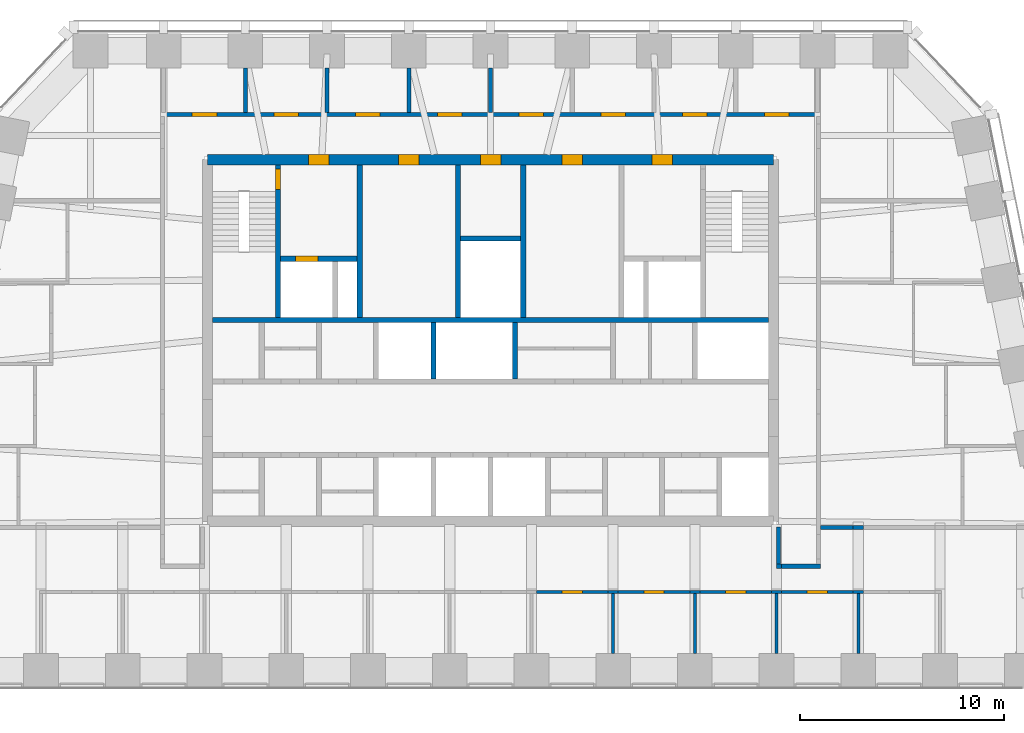
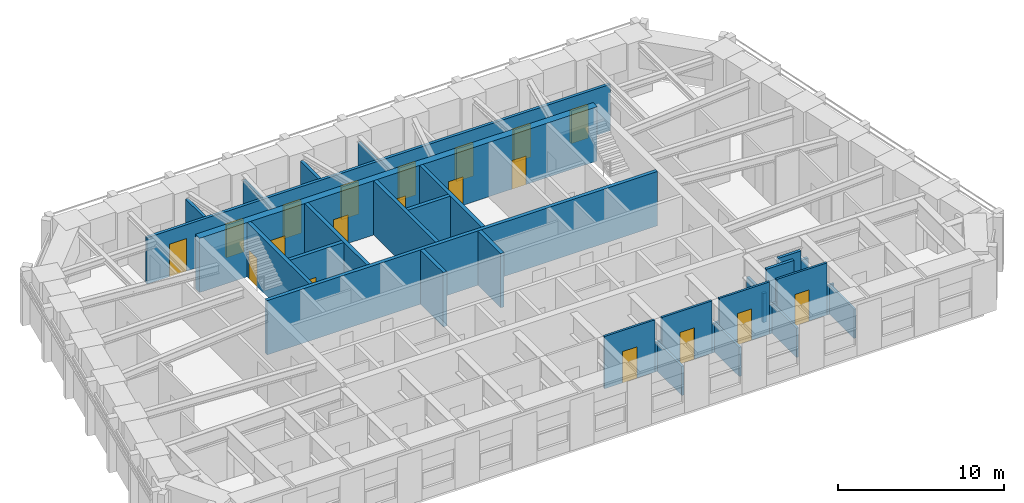
# One storey, part 7 of 12: 32 walls, 19 doors, 19 openings.
"""IFC4 building model written with IfcOpenShell, lengths in metres."""

from ifc_helpers import new_model, si_unit, direction, frame, frame_2d, origin, place, context, subcontext, project, spatial, rectangle, extrude, material, layer, layer_set, type_object, element, fill, save


model = new_model("IFC4")

# Units and contexts
model_context = context("Model", 3, precision=1e-05, world=origin(), true_north=direction((0.0, 1.0)))
body_context = subcontext(model_context, "Body", "Model", "MODEL_VIEW")
ifc_project = project(units=[si_unit("LENGTHUNIT", "METRE"), si_unit("AREAUNIT", "SQUARE_METRE"), si_unit("VOLUMEUNIT", "CUBIC_METRE"), si_unit("PLANEANGLEUNIT", "RADIAN"), si_unit("MASSUNIT", "GRAM", prefix="KILO")], contexts=[model_context])

# Site, building, storey
site_placement = place(None, origin())
site = spatial("IfcSite", under=ifc_project, at=site_placement, CompositionType="ELEMENT")
building_placement = place(site_placement, origin())
building = spatial("IfcBuilding", under=site, at=building_placement, Name="Isbrekke Arena Tower", CompositionType="ELEMENT")
storey_placement = place(building_placement, frame((0.0, 0.0, 304.0)))
storey = spatial("IfcBuildingStorey", under=building, at=storey_placement, Name="L71", CompositionType="ELEMENT", Elevation=304.0)

# Wall, openings, doors
ifc_material_1 = material(Name="Concrete B55 (C55/67)", Category="concrete")
ifc_layer_1 = layer(ifc_material_1, 0.5)
ifc_layer_set_1 = layer_set([ifc_layer_1], Name="CW5 CORE WALL 500")
wall_type_1 = type_object("IfcWallType", Name="CW5 CORE WALL 500", PredefinedType="SHEAR", material=ifc_layer_set_1)
wall_1_placement = place(storey_placement, frame((13.85009765625, 23.85009765625, 0.0), z_axis=(0.0, 0.0, 1.0), x_axis=(-1.0, 0.0, 0.0)))
wall_1 = element("IfcWall", 1, at=wall_1_placement, inside=storey, type_object=wall_type_1, Name="Core wall N L71", PredefinedType="SHEAR", context=body_context, shape_type="SweptSolid", body=[
    extrude(rectangle(XDim=27.7001953125, YDim=0.5, at=frame_2d((13.85009765625, 0.0))), origin(), (0.0, 0.0, 1.0), 4.0),
])
opening_1_placement = place(wall_1_placement, frame((21.75, 0.0, 0.0)))
opening_1 = element("IfcOpeningElement", 2, at=opening_1_placement, cuts=wall_1, Name="Opening D3", PredefinedType="OPENING", context=body_context, shape_type="SweptSolid", body=[
    extrude(rectangle(XDim=1.0, YDim=2.10009765625, at=frame_2d((0.5, 1.050048828125))), frame((0.0, 0.264892578125, 0.0), z_axis=(0.0, -1.0, 0.0), x_axis=(1.0, 0.0, 0.0)), (0.0, 0.0, 1.0), 0.52978515625),
])
opening_2_placement = place(wall_1_placement, frame((4.949951171875, 0.0, 0.0)))
opening_2 = element("IfcOpeningElement", 3, at=opening_2_placement, cuts=wall_1, Name="Opening D3", PredefinedType="OPENING", context=body_context, shape_type="SweptSolid", body=[
    extrude(rectangle(XDim=1.0, YDim=2.10009765625, at=frame_2d((0.5, 1.050048828125))), frame((0.0, 0.264892578125, 0.0), z_axis=(0.0, -1.0, 0.0), x_axis=(1.0, 0.0, 0.0)), (0.0, 0.0, 1.0), 0.52978515625),
])
opening_3_placement = place(wall_1_placement, frame((17.35009765625, 0.0, 0.0)))
opening_3 = element("IfcOpeningElement", 4, at=opening_3_placement, cuts=wall_1, Name="Opening D4", PredefinedType="OPENING", context=body_context, shape_type="SweptSolid", body=[
    extrude(rectangle(XDim=1.0, YDim=2.10009765625, at=frame_2d((0.5, 1.050048828125))), frame((0.0, 0.264892578125, 0.0), z_axis=(0.0, -1.0, 0.0), x_axis=(1.0, 0.0, 0.0)), (0.0, 0.0, 1.0), 0.52978515625),
])
opening_4_placement = place(wall_1_placement, frame((13.35009765625, 0.0, 0.0)))
opening_4 = element("IfcOpeningElement", 5, at=opening_4_placement, cuts=wall_1, Name="Opening D4", PredefinedType="OPENING", context=body_context, shape_type="SweptSolid", body=[
    extrude(rectangle(XDim=1.0, YDim=2.10009765625, at=frame_2d((0.5, 1.050048828125))), frame((0.0, 0.264892578125, 0.0), z_axis=(0.0, -1.0, 0.0), x_axis=(1.0, 0.0, 0.0)), (0.0, 0.0, 1.0), 0.52978515625),
])
opening_5_placement = place(wall_1_placement, frame((9.35009765625, 0.0, 0.0)))
opening_5 = element("IfcOpeningElement", 6, at=opening_5_placement, cuts=wall_1, Name="Opening D4", PredefinedType="OPENING", context=body_context, shape_type="SweptSolid", body=[
    extrude(rectangle(XDim=1.0, YDim=2.10009765625, at=frame_2d((0.5, 1.050048828125))), frame((0.0, 0.264892578125, 0.0), z_axis=(0.0, -1.0, 0.0), x_axis=(1.0, 0.0, 0.0)), (0.0, 0.0, 1.0), 0.52978515625),
])
ifc_material_2 = material(Name="Steel fire door", Category="steel")
door_type_1 = type_object("IfcDoorType", Name="D3 FIRE LOBBY DOOR 1000 x 2100", OperationType="SINGLE_SWING_RIGHT", PredefinedType="DOOR", material=ifc_material_2)
door_1_placement = place(opening_1_placement, origin())
door_1 = element("IfcDoor", 7, at=door_1_placement, inside=storey, type_object=door_type_1, Name="D3 fire-fighting lobby door L71", OperationType="SINGLE_SWING_RIGHT", OverallHeight=2.10009765625, OverallWidth=1.0, PredefinedType="DOOR", context=body_context, shape_type="SweptSolid", body=[
    extrude(rectangle(XDim=1.0, YDim=2.10009765625, at=frame_2d((0.5, 1.050048828125))), frame((0.0, 0.249755859375, 0.0), z_axis=(0.0, -1.0, 0.0), x_axis=(1.0, 0.0, 0.0)), (0.0, 0.0, 1.0), 0.49951171875),
])
fill(opening_1, door_1)
door_2_placement = place(opening_2_placement, origin())
door_2 = element("IfcDoor", 8, at=door_2_placement, inside=storey, type_object=door_type_1, Name="D3 fire-fighting lobby door L71", OperationType="SINGLE_SWING_RIGHT", OverallHeight=2.10009765625, OverallWidth=1.0, PredefinedType="DOOR", context=body_context, shape_type="SweptSolid", body=[
    extrude(rectangle(XDim=1.0, YDim=2.10009765625, at=frame_2d((0.5, 1.050048828125))), frame((0.0, 0.249755859375, 0.0), z_axis=(0.0, -1.0, 0.0), x_axis=(1.0, 0.0, 0.0)), (0.0, 0.0, 1.0), 0.49951171875),
])
fill(opening_2, door_2)
ifc_material_3 = material(Name="Timber door", Category="wood")
door_type_2 = type_object("IfcDoorType", Name="D4 WC DOOR 1000 x 2100", OperationType="SINGLE_SWING_LEFT", PredefinedType="DOOR", material=ifc_material_3)
door_3_placement = place(opening_3_placement, origin())
door_3 = element("IfcDoor", 9, at=door_3_placement, inside=storey, type_object=door_type_2, Name="D4 wc female door L71", OperationType="SINGLE_SWING_LEFT", OverallHeight=2.10009765625, OverallWidth=1.0, PredefinedType="DOOR", context=body_context, shape_type="SweptSolid", body=[
    extrude(rectangle(XDim=1.0, YDim=2.10009765625, at=frame_2d((0.5, 1.050048828125))), frame((0.0, 0.249755859375, 0.0), z_axis=(0.0, -1.0, 0.0), x_axis=(1.0, 0.0, 0.0)), (0.0, 0.0, 1.0), 0.49951171875),
])
fill(opening_3, door_3)
door_4_placement = place(opening_4_placement, origin())
door_4 = element("IfcDoor", 10, at=door_4_placement, inside=storey, type_object=door_type_2, Name="D4 accessible wc door L71", OperationType="SINGLE_SWING_LEFT", OverallHeight=2.10009765625, OverallWidth=1.0, PredefinedType="DOOR", context=body_context, shape_type="SweptSolid", body=[
    extrude(rectangle(XDim=1.0, YDim=2.10009765625, at=frame_2d((0.5, 1.050048828125))), frame((0.0, 0.249755859375, 0.0), z_axis=(0.0, -1.0, 0.0), x_axis=(1.0, 0.0, 0.0)), (0.0, 0.0, 1.0), 0.49951171875),
])
fill(opening_4, door_4)
door_5_placement = place(opening_5_placement, origin())
door_5 = element("IfcDoor", 11, at=door_5_placement, inside=storey, type_object=door_type_2, Name="D4 wc male door L71", OperationType="SINGLE_SWING_LEFT", OverallHeight=2.10009765625, OverallWidth=1.0, PredefinedType="DOOR", context=body_context, shape_type="SweptSolid", body=[
    extrude(rectangle(XDim=1.0, YDim=2.10009765625, at=frame_2d((0.5, 1.050048828125))), frame((0.0, 0.249755859375, 0.0), z_axis=(0.0, -1.0, 0.0), x_axis=(1.0, 0.0, 0.0)), (0.0, 0.0, 1.0), 0.49951171875),
])
fill(opening_5, door_5)

# Walls
ifc_material_4 = material(Name="Concrete B45 (C45/55)", Category="concrete")
ifc_layer_2 = layer(ifc_material_4, 0.25)
ifc_layer_set_2 = layer_set([ifc_layer_2], Name="CW6 SHAFT WALL 250")
wall_type_2 = type_object("IfcWallType", Name="CW6 SHAFT WALL 250", PredefinedType="SHEAR", material=ifc_layer_set_2)
wall_2_placement = place(storey_placement, frame((-13.60009765625, 16.0, 0.0), z_axis=(0.0, 0.0, 1.0), x_axis=(1.0, 0.0, 0.0)))
element("IfcWall", 12, at=wall_2_placement, inside=storey, type_object=wall_type_2, Name="Core wall NB L71", PredefinedType="SHEAR", context=body_context, shape_type="SweptSolid", body=[
    extrude(rectangle(XDim=27.2001953125, YDim=0.25, at=frame_2d((13.60009765625, 0.0))), origin(), (0.0, 0.0, 1.0), 4.0),
])
for number, where, z_axis, x_axis, name in (
    (13, (-2.800048828125, 13.125, 0.0), (0.0, 0.0, 1.0), (0.0, 1.0, 0.0), "Core wall SN04 L71"),
    (14, (1.199951171875, 13.125, 0.0), (0.0, 0.0, 1.0), (0.0, 1.0, 0.0), "Core wall SN05 L71"),
):
    element("IfcWall", number, at=place(storey_placement, frame(where, z_axis=z_axis, x_axis=x_axis)), inside=storey, type_object=wall_type_2, Name=name, PredefinedType="SHEAR", context=body_context, shape_type="SweptSolid", body=[
        extrude(rectangle(XDim=2.75, YDim=0.25, at=frame_2d((1.375, 0.0))), origin(), (0.0, 0.0, 1.0), 4.0),
    ])

# Wall, opening, door
wall_3_placement = place(storey_placement, frame((-10.39990234375, 16.125, 0.0), z_axis=(0.0, 0.0, 1.0), x_axis=(0.0, 1.0, 0.0)))
wall_3 = element("IfcWall", 15, at=wall_3_placement, inside=storey, type_object=wall_type_2, Name="Core wall NV01 L71", PredefinedType="SHEAR", context=body_context, shape_type="SweptSolid", body=[
    extrude(rectangle(XDim=7.47509765625, YDim=0.25, at=frame_2d((3.737548828125, 0.0))), origin(), (0.0, 0.0, 1.0), 4.0),
])
opening_6_placement = place(wall_3_placement, frame((6.27490234375, 0.0, 0.0)))
opening_6 = element("IfcOpeningElement", 16, at=opening_6_placement, cuts=wall_3, Name="Opening D2", PredefinedType="OPENING", context=body_context, shape_type="SweptSolid", body=[
    extrude(rectangle(XDim=1.0, YDim=2.10009765625, at=frame_2d((0.5, 1.050048828125))), frame((0.0, 0.139892578125, 0.0), z_axis=(0.0, -1.0, 0.0), x_axis=(1.0, 0.0, 0.0)), (0.0, 0.0, 1.0), 0.27978515625),
])
ifc_material_5 = material(Name="Steel fire door", Category="steel")
door_type_3 = type_object("IfcDoorType", Name="D2 STAIR DOOR 1000 x 2100", OperationType="SINGLE_SWING_LEFT", PredefinedType="DOOR", material=ifc_material_5)
door_6_placement = place(opening_6_placement, origin())
door_6 = element("IfcDoor", 17, at=door_6_placement, inside=storey, type_object=door_type_3, Name="D2 stair door ST1 L71", OperationType="SINGLE_SWING_LEFT", OverallHeight=2.10009765625, OverallWidth=1.0, PredefinedType="DOOR", context=body_context, shape_type="SweptSolid", body=[
    extrude(rectangle(XDim=1.0, YDim=2.10009765625, at=frame_2d((0.5, 1.050048828125))), frame((0.0, 0.124755859375, 0.0), z_axis=(0.0, -1.0, 0.0), x_axis=(1.0, 0.0, 0.0)), (0.0, 0.0, 1.0), 0.24951171875),
])
fill(opening_6, door_6)

# Walls
for number, where, z_axis, x_axis, name in (
    (18, (-6.39990234375, 16.125, 0.0), (0.0, 0.0, 1.0), (0.0, 1.0, 0.0), "Core wall NV02 L71"),
    (19, (-1.60009765625, 16.125, 0.0), (0.0, 0.0, 1.0), (0.0, 1.0, 0.0), "Core wall NV03 L71"),
    (20, (1.60009765625, 16.125, 0.0), (0.0, 0.0, 1.0), (0.0, 1.0, 0.0), "Core wall NV04 L71"),
):
    element("IfcWall", number, at=place(storey_placement, frame(where, z_axis=z_axis, x_axis=x_axis)), inside=storey, type_object=wall_type_2, Name=name, PredefinedType="SHEAR", context=body_context, shape_type="SweptSolid", body=[
        extrude(rectangle(XDim=7.47509765625, YDim=0.25, at=frame_2d((3.737548828125, 0.0))), origin(), (0.0, 0.0, 1.0), 4.0),
    ])

# Wall, opening, door
wall_4_placement = place(storey_placement, frame((-10.27490234375, 19.0, 0.0), z_axis=(0.0, 0.0, 1.0), x_axis=(1.0, 0.0, 0.0)))
wall_4 = element("IfcWall", 21, at=wall_4_placement, inside=storey, type_object=wall_type_2, Name="Core wall NFW L71", PredefinedType="SHEAR", context=body_context, shape_type="SweptSolid", body=[
    extrude(rectangle(XDim=3.75, YDim=0.25, at=frame_2d((1.875, 0.0))), origin(), (0.0, 0.0, 1.0), 4.0),
])
opening_7_placement = place(wall_4_placement, frame((0.72509765625, 0.0, 0.0)))
opening_7 = element("IfcOpeningElement", 22, at=opening_7_placement, cuts=wall_4, Name="Opening LD2", PredefinedType="OPENING", context=body_context, shape_type="SweptSolid", body=[
    extrude(rectangle(XDim=1.10009765625, YDim=2.10009765625, at=frame_2d((0.550048828125, 1.050048828125))), frame((0.0, 0.139892578125, 0.0), z_axis=(0.0, -1.0, 0.0), x_axis=(1.0, 0.0, 0.0)), (0.0, 0.0, 1.0), 0.27978515625),
])
ifc_material_6 = material(Name="Stainless steel lift landing door", Category="steel")
door_type_4 = type_object("IfcDoorType", Name="LD2 FIRE-FIGHTING LIFT LANDING DOOR 1100 x 2100", OperationType="SLIDING_TO_RIGHT", PredefinedType="DOOR", material=ifc_material_6)
door_7_placement = place(opening_7_placement, origin())
door_7 = element("IfcDoor", 23, at=door_7_placement, inside=storey, type_object=door_type_4, Name="LD2 lift landing door LF L71", OperationType="SLIDING_TO_RIGHT", OverallHeight=2.10009765625, OverallWidth=1.10009765625, PredefinedType="DOOR", context=body_context, shape_type="SweptSolid", body=[
    extrude(rectangle(XDim=1.10009765625, YDim=2.10009765625, at=frame_2d((0.550048828125, 1.050048828125))), frame((0.0, 0.124755859375, 0.0), z_axis=(0.0, -1.0, 0.0), x_axis=(1.0, 0.0, 0.0)), (0.0, 0.0, 1.0), 0.24951171875),
])
fill(opening_7, door_7)

# Wall
wall_5_placement = place(storey_placement, frame((-1.47509765625, 20.0, 0.0), z_axis=(0.0, 0.0, 1.0), x_axis=(1.0, 0.0, 0.0)))
element("IfcWall", 24, at=wall_5_placement, inside=storey, type_object=wall_type_2, Name="Core wall NWC L71", PredefinedType="SHEAR", context=body_context, shape_type="SweptSolid", body=[
    extrude(rectangle(XDim=2.9501953125, YDim=0.25, at=frame_2d((1.47509765625, 0.0))), origin(), (0.0, 0.0, 1.0), 4.0),
])

# Wall, opening, door
ifc_material_7 = material(Name="Gypsum board partition on steel studs", Category="steel")
ifc_layer_3 = layer(ifc_material_7, 0.14990234375)
ifc_layer_set_3 = layer_set([ifc_layer_3], Name="IW1 PARTITION 150")
wall_type_3 = type_object("IfcWallType", Name="IW1 PARTITION 150", PredefinedType="PARTITIONING", material=ifc_layer_set_3)
wall_6_placement = place(storey_placement, frame((2.25, 2.699951171875, 0.0), z_axis=(0.0, 0.0, 1.0), x_axis=(1.0, 0.0, 0.0)))
wall_6 = element("IfcWall", 25, at=wall_6_placement, inside=storey, type_object=wall_type_3, Name="IW1 partition 150 L71", PredefinedType="PARTITIONING", context=body_context, shape_type="SweptSolid", body=[
    extrude(rectangle(XDim=3.5, YDim=0.14990234375, at=frame_2d((1.75, 0.0))), origin(), (0.0, 0.0, 1.0), 3.85009765625),
])
opening_8_placement = place(wall_6_placement, frame((1.25, 0.0, 0.0)))
opening_8 = element("IfcOpeningElement", 26, at=opening_8_placement, cuts=wall_6, Name="Opening D10", PredefinedType="OPENING", context=body_context, shape_type="SweptSolid", body=[
    extrude(rectangle(XDim=1.0, YDim=2.300048828125, at=frame_2d((0.5, 1.14990234375))), frame((0.0, 0.08984375, 0.0), z_axis=(0.0, -1.0, 0.0), x_axis=(1.0, 0.0, 0.0)), (0.0, 0.0, 1.0), 0.1796875),
])
ifc_material_8 = material(Name="Timber door", Category="wood")
door_type_5 = type_object("IfcDoorType", Name="D10 OFFICE DOOR 1000 x 2300", OperationType="SINGLE_SWING_LEFT", PredefinedType="DOOR", material=ifc_material_8)
door_8_placement = place(opening_8_placement, origin())
door_8 = element("IfcDoor", 27, at=door_8_placement, inside=storey, type_object=door_type_5, Name="D10 executive office door L71", OperationType="SINGLE_SWING_LEFT", OverallHeight=2.300048828125, OverallWidth=1.0, PredefinedType="DOOR", context=body_context, shape_type="SweptSolid", body=[
    extrude(rectangle(XDim=1.0, YDim=2.300048828125, at=frame_2d((0.5, 1.14990234375))), frame((0.0, 0.07470703125, 0.0), z_axis=(0.0, -1.0, 0.0), x_axis=(1.0, 0.0, 0.0)), (0.0, 0.0, 1.0), 0.1494140625),
])
fill(opening_8, door_8)

# Wall
wall_7_placement = place(storey_placement, frame((5.75, 2.699951171875, 0.0), z_axis=(0.0, 0.0, 1.0), x_axis=(1.0, 0.0, 0.0)))
element("IfcWall", 28, at=wall_7_placement, inside=storey, type_object=wall_type_3, Name="IW1 partition 150 L71", PredefinedType="PARTITIONING", context=body_context, shape_type="SweptSolid", body=[
    extrude(rectangle(XDim=0.5, YDim=0.14990234375, at=frame_2d((0.25, 0.0))), origin(), (0.0, 0.0, 1.0), 2.14990234375),
])

# Wall, opening, door
wall_8_placement = place(storey_placement, frame((6.25, 2.699951171875, 0.0), z_axis=(0.0, 0.0, 1.0), x_axis=(1.0, 0.0, 0.0)))
wall_8 = element("IfcWall", 29, at=wall_8_placement, inside=storey, type_object=wall_type_3, Name="IW1 partition 150 L71", PredefinedType="PARTITIONING", context=body_context, shape_type="SweptSolid", body=[
    extrude(rectangle(XDim=3.5, YDim=0.14990234375, at=frame_2d((1.75, 0.0))), origin(), (0.0, 0.0, 1.0), 3.85009765625),
])
opening_9_placement = place(wall_8_placement, frame((1.25, 0.0, 0.0)))
opening_9 = element("IfcOpeningElement", 30, at=opening_9_placement, cuts=wall_8, Name="Opening D10", PredefinedType="OPENING", context=body_context, shape_type="SweptSolid", body=[
    extrude(rectangle(XDim=1.0, YDim=2.300048828125, at=frame_2d((0.5, 1.14990234375))), frame((0.0, 0.08984375, 0.0), z_axis=(0.0, -1.0, 0.0), x_axis=(1.0, 0.0, 0.0)), (0.0, 0.0, 1.0), 0.1796875),
])
door_9_placement = place(opening_9_placement, origin())
door_9 = element("IfcDoor", 31, at=door_9_placement, inside=storey, type_object=door_type_5, Name="D10 executive office door L71", OperationType="SINGLE_SWING_LEFT", OverallHeight=2.300048828125, OverallWidth=1.0, PredefinedType="DOOR", context=body_context, shape_type="SweptSolid", body=[
    extrude(rectangle(XDim=1.0, YDim=2.300048828125, at=frame_2d((0.5, 1.14990234375))), frame((0.0, 0.07470703125, 0.0), z_axis=(0.0, -1.0, 0.0), x_axis=(1.0, 0.0, 0.0)), (0.0, 0.0, 1.0), 0.1494140625),
])
fill(opening_9, door_9)

# Wall
wall_9_placement = place(storey_placement, frame((9.75, 2.699951171875, 0.0), z_axis=(0.0, 0.0, 1.0), x_axis=(1.0, 0.0, 0.0)))
element("IfcWall", 32, at=wall_9_placement, inside=storey, type_object=wall_type_3, Name="IW1 partition 150 L71", PredefinedType="PARTITIONING", context=body_context, shape_type="SweptSolid", body=[
    extrude(rectangle(XDim=0.5, YDim=0.14990234375, at=frame_2d((0.25, 0.0))), origin(), (0.0, 0.0, 1.0), 2.14990234375),
])

# Wall, opening, door
wall_10_placement = place(storey_placement, frame((10.25, 2.699951171875, 0.0), z_axis=(0.0, 0.0, 1.0), x_axis=(1.0, 0.0, 0.0)))
wall_10 = element("IfcWall", 33, at=wall_10_placement, inside=storey, type_object=wall_type_3, Name="IW1 partition 150 L71", PredefinedType="PARTITIONING", context=body_context, shape_type="SweptSolid", body=[
    extrude(rectangle(XDim=3.5, YDim=0.14990234375, at=frame_2d((1.75, 0.0))), origin(), (0.0, 0.0, 1.0), 3.85009765625),
])
opening_10_placement = place(wall_10_placement, frame((1.25, 0.0, 0.0)))
opening_10 = element("IfcOpeningElement", 34, at=opening_10_placement, cuts=wall_10, Name="Opening D10", PredefinedType="OPENING", context=body_context, shape_type="SweptSolid", body=[
    extrude(rectangle(XDim=1.0, YDim=2.300048828125, at=frame_2d((0.5, 1.14990234375))), frame((0.0, 0.08984375, 0.0), z_axis=(0.0, -1.0, 0.0), x_axis=(1.0, 0.0, 0.0)), (0.0, 0.0, 1.0), 0.1796875),
])
door_10_placement = place(opening_10_placement, origin())
door_10 = element("IfcDoor", 35, at=door_10_placement, inside=storey, type_object=door_type_5, Name="D10 executive office door L71", OperationType="SINGLE_SWING_LEFT", OverallHeight=2.300048828125, OverallWidth=1.0, PredefinedType="DOOR", context=body_context, shape_type="SweptSolid", body=[
    extrude(rectangle(XDim=1.0, YDim=2.300048828125, at=frame_2d((0.5, 1.14990234375))), frame((0.0, 0.07470703125, 0.0), z_axis=(0.0, -1.0, 0.0), x_axis=(1.0, 0.0, 0.0)), (0.0, 0.0, 1.0), 0.1494140625),
])
fill(opening_10, door_10)

# Wall
wall_11_placement = place(storey_placement, frame((13.75, 2.699951171875, 0.0), z_axis=(0.0, 0.0, 1.0), x_axis=(1.0, 0.0, 0.0)))
element("IfcWall", 36, at=wall_11_placement, inside=storey, type_object=wall_type_3, Name="IW1 partition 150 L71", PredefinedType="PARTITIONING", context=body_context, shape_type="SweptSolid", body=[
    extrude(rectangle(XDim=0.5, YDim=0.14990234375, at=frame_2d((0.25, 0.0))), origin(), (0.0, 0.0, 1.0), 2.14990234375),
])

# Wall, opening, door
wall_12_placement = place(storey_placement, frame((14.25, 2.699951171875, 0.0), z_axis=(0.0, 0.0, 1.0), x_axis=(1.0, 0.0, 0.0)))
wall_12 = element("IfcWall", 37, at=wall_12_placement, inside=storey, type_object=wall_type_3, Name="IW1 partition 150 L71", PredefinedType="PARTITIONING", context=body_context, shape_type="SweptSolid", body=[
    extrude(rectangle(XDim=3.5, YDim=0.14990234375, at=frame_2d((1.75, 0.0))), origin(), (0.0, 0.0, 1.0), 3.85009765625),
])
opening_11_placement = place(wall_12_placement, frame((1.25, 0.0, 0.0)))
opening_11 = element("IfcOpeningElement", 38, at=opening_11_placement, cuts=wall_12, Name="Opening D10", PredefinedType="OPENING", context=body_context, shape_type="SweptSolid", body=[
    extrude(rectangle(XDim=1.0, YDim=2.300048828125, at=frame_2d((0.5, 1.14990234375))), frame((0.0, 0.08984375, 0.0), z_axis=(0.0, -1.0, 0.0), x_axis=(1.0, 0.0, 0.0)), (0.0, 0.0, 1.0), 0.1796875),
])
door_11_placement = place(opening_11_placement, origin())
door_11 = element("IfcDoor", 39, at=door_11_placement, inside=storey, type_object=door_type_5, Name="D10 executive office door L71", OperationType="SINGLE_SWING_LEFT", OverallHeight=2.300048828125, OverallWidth=1.0, PredefinedType="DOOR", context=body_context, shape_type="SweptSolid", body=[
    extrude(rectangle(XDim=1.0, YDim=2.300048828125, at=frame_2d((0.5, 1.14990234375))), frame((0.0, 0.07470703125, 0.0), z_axis=(0.0, -1.0, 0.0), x_axis=(1.0, 0.0, 0.0)), (0.0, 0.0, 1.0), 0.1494140625),
])
fill(opening_11, door_11)

# Walls
wall_13_placement = place(storey_placement, frame((17.75, 2.699951171875, 0.0), z_axis=(0.0, 0.0, 1.0), x_axis=(1.0, 0.0, 0.0)))
element("IfcWall", 40, at=wall_13_placement, inside=storey, type_object=wall_type_3, Name="IW1 partition 150 L71", PredefinedType="PARTITIONING", context=body_context, shape_type="SweptSolid", body=[
    extrude(rectangle(XDim=0.5, YDim=0.14990234375, at=frame_2d((0.25, 0.0))), origin(), (0.0, 0.0, 1.0), 2.14990234375),
])
for number, where, z_axis, x_axis, name in (
    (41, (6.0, -0.324951171875, 0.0), (0.0, 0.0, 1.0), (0.0, 1.0, 0.0), "IW1 partition 150 L71"),
    (42, (10.0, -0.324951171875, 0.0), (0.0, 0.0, 1.0), (0.0, 1.0, 0.0), "IW1 partition 150 L71"),
    (43, (14.0, -0.324951171875, 0.0), (0.0, 0.0, 1.0), (0.0, 1.0, 0.0), "IW1 partition 150 L71"),
    (44, (18.0, -0.324951171875, 0.0), (0.0, 0.0, 1.0), (0.0, 1.0, 0.0), "IW1 partition 150 L71"),
):
    element("IfcWall", number, at=place(storey_placement, frame(where, z_axis=z_axis, x_axis=x_axis)), inside=storey, type_object=wall_type_3, Name=name, PredefinedType="PARTITIONING", context=body_context, shape_type="SweptSolid", body=[
        extrude(rectangle(XDim=2.949951171875, YDim=0.14990234375, at=frame_2d((1.47509765625, 0.0))), origin(), (0.0, 0.0, 1.0), 2.14990234375),
    ])
ifc_material_9 = material(Name="Gypsum board fire-cell wall on steel studs, two layers each side", Category="steel")
ifc_layer_4 = layer(ifc_material_9, 0.199951171875)
ifc_layer_set_4 = layer_set([ifc_layer_4], Name="IW3 FIRE-CELL WALL 200")
wall_type_4 = type_object("IfcWallType", Name="IW3 FIRE-CELL WALL 200", PredefinedType="PARTITIONING", material=ifc_layer_set_4)
wall_14_placement = place(storey_placement, frame((14.0, 3.949951171875, 0.0), z_axis=(0.0, 0.0, 1.0), x_axis=(1.0, 0.0, 0.0)))
element("IfcWall", 45, at=wall_14_placement, inside=storey, type_object=wall_type_4, Name="IW3 fire-cell wall 200 L71", PredefinedType="PARTITIONING", context=body_context, shape_type="SweptSolid", body=[
    extrude(rectangle(XDim=0.25, YDim=0.199951171875, at=frame_2d((0.125, 0.0))), origin(), (0.0, 0.0, 1.0), 2.14990234375),
])
wall_15_placement = place(storey_placement, frame((14.25, 3.949951171875, 0.0), z_axis=(0.0, 0.0, 1.0), x_axis=(1.0, 0.0, 0.0)))
element("IfcWall", 46, at=wall_15_placement, inside=storey, type_object=wall_type_4, Name="IW3 fire-cell wall 200 L71", PredefinedType="PARTITIONING", context=body_context, shape_type="SweptSolid", body=[
    extrude(rectangle(XDim=1.89990234375, YDim=0.199951171875, at=frame_2d((0.949951171875, 0.0))), origin(), (0.0, 0.0, 1.0), 3.85009765625),
])
wall_16_placement = place(storey_placement, frame((16.14990234375, 5.840087890625, 0.0), z_axis=(0.0, 0.0, 1.0), x_axis=(1.0, 0.0, 0.0)))
element("IfcWall", 47, at=wall_16_placement, inside=storey, type_object=wall_type_4, Name="IW3 fire-cell wall 200 L71", PredefinedType="PARTITIONING", context=body_context, shape_type="SweptSolid", body=[
    extrude(rectangle(XDim=1.60009765625, YDim=0.199951171875, at=frame_2d((0.800048828125, 0.0))), origin(), (0.0, 0.0, 1.0), 2.842041015625),
])
wall_17_placement = place(storey_placement, frame((17.75, 5.840087890625, 0.0), z_axis=(0.0, 0.0, 1.0), x_axis=(1.0, 0.0, 0.0)))
element("IfcWall", 48, at=wall_17_placement, inside=storey, type_object=wall_type_4, Name="IW3 fire-cell wall 200 L71", PredefinedType="PARTITIONING", context=body_context, shape_type="SweptSolid", body=[
    extrude(rectangle(XDim=0.5, YDim=0.199951171875, at=frame_2d((0.25, 0.0))), origin(), (0.0, 0.0, 1.0), 2.14990234375),
])

# Wall, openings, doors
wall_18_placement = place(storey_placement, frame((-16.14990234375, 26.050048828125, 0.0), z_axis=(0.0, 0.0, 1.0), x_axis=(1.0, 0.0, 0.0)))
wall_18 = element("IfcWall", 49, at=wall_18_placement, inside=storey, type_object=wall_type_4, Name="IW3 fire-cell wall 200 L71", PredefinedType="PARTITIONING", context=body_context, shape_type="SweptSolid", body=[
    extrude(rectangle(XDim=32.2998046875, YDim=0.199951171875, at=frame_2d((16.14990234375, 0.0))), origin(), (0.0, 0.0, 1.0), 3.41796875),
])
opening_12_placement = place(wall_18_placement, frame((1.550048828125, 0.0, 0.0)))
opening_12 = element("IfcOpeningElement", 50, at=opening_12_placement, cuts=wall_18, Name="Opening D12", PredefinedType="OPENING", context=body_context, shape_type="SweptSolid", body=[
    extrude(rectangle(XDim=1.199951171875, YDim=2.39990234375, at=frame_2d((0.60009765625, 1.199951171875))), frame((0.0, 0.11474609375, 0.0), z_axis=(0.0, -1.0, 0.0), x_axis=(1.0, 0.0, 0.0)), (0.0, 0.0, 1.0), 0.229736328125),
])
opening_13_placement = place(wall_18_placement, frame((5.550048828125, 0.0, 0.0)))
opening_13 = element("IfcOpeningElement", 51, at=opening_13_placement, cuts=wall_18, Name="Opening D12", PredefinedType="OPENING", context=body_context, shape_type="SweptSolid", body=[
    extrude(rectangle(XDim=1.199951171875, YDim=2.39990234375, at=frame_2d((0.60009765625, 1.199951171875))), frame((0.0, 0.11474609375, 0.0), z_axis=(0.0, -1.0, 0.0), x_axis=(1.0, 0.0, 0.0)), (0.0, 0.0, 1.0), 0.229736328125),
])
opening_14_placement = place(wall_18_placement, frame((9.550048828125, 0.0, 0.0)))
opening_14 = element("IfcOpeningElement", 52, at=opening_14_placement, cuts=wall_18, Name="Opening D12", PredefinedType="OPENING", context=body_context, shape_type="SweptSolid", body=[
    extrude(rectangle(XDim=1.199951171875, YDim=2.39990234375, at=frame_2d((0.60009765625, 1.199951171875))), frame((0.0, 0.11474609375, 0.0), z_axis=(0.0, -1.0, 0.0), x_axis=(1.0, 0.0, 0.0)), (0.0, 0.0, 1.0), 0.229736328125),
])
opening_15_placement = place(wall_18_placement, frame((13.550048828125, 0.0, 0.0)))
opening_15 = element("IfcOpeningElement", 53, at=opening_15_placement, cuts=wall_18, Name="Opening D12", PredefinedType="OPENING", context=body_context, shape_type="SweptSolid", body=[
    extrude(rectangle(XDim=1.199951171875, YDim=2.39990234375, at=frame_2d((0.60009765625, 1.199951171875))), frame((0.0, 0.11474609375, 0.0), z_axis=(0.0, -1.0, 0.0), x_axis=(1.0, 0.0, 0.0)), (0.0, 0.0, 1.0), 0.229736328125),
])
opening_16_placement = place(wall_18_placement, frame((17.550048828125, 0.0, 0.0)))
opening_16 = element("IfcOpeningElement", 54, at=opening_16_placement, cuts=wall_18, Name="Opening D12", PredefinedType="OPENING", context=body_context, shape_type="SweptSolid", body=[
    extrude(rectangle(XDim=1.199951171875, YDim=2.39990234375, at=frame_2d((0.60009765625, 1.199951171875))), frame((0.0, 0.11474609375, 0.0), z_axis=(0.0, -1.0, 0.0), x_axis=(1.0, 0.0, 0.0)), (0.0, 0.0, 1.0), 0.229736328125),
])
opening_17_placement = place(wall_18_placement, frame((21.550048828125, 0.0, 0.0)))
opening_17 = element("IfcOpeningElement", 55, at=opening_17_placement, cuts=wall_18, Name="Opening D12", PredefinedType="OPENING", context=body_context, shape_type="SweptSolid", body=[
    extrude(rectangle(XDim=1.199951171875, YDim=2.39990234375, at=frame_2d((0.60009765625, 1.199951171875))), frame((0.0, 0.11474609375, 0.0), z_axis=(0.0, -1.0, 0.0), x_axis=(1.0, 0.0, 0.0)), (0.0, 0.0, 1.0), 0.229736328125),
])
opening_18_placement = place(wall_18_placement, frame((25.550048828125, 0.0, 0.0)))
opening_18 = element("IfcOpeningElement", 56, at=opening_18_placement, cuts=wall_18, Name="Opening D12", PredefinedType="OPENING", context=body_context, shape_type="SweptSolid", body=[
    extrude(rectangle(XDim=1.199951171875, YDim=2.39990234375, at=frame_2d((0.60009765625, 1.199951171875))), frame((0.0, 0.11474609375, 0.0), z_axis=(0.0, -1.0, 0.0), x_axis=(1.0, 0.0, 0.0)), (0.0, 0.0, 1.0), 0.229736328125),
])
opening_19_placement = place(wall_18_placement, frame((29.550048828125, 0.0, 0.0)))
opening_19 = element("IfcOpeningElement", 57, at=opening_19_placement, cuts=wall_18, Name="Opening D12", PredefinedType="OPENING", context=body_context, shape_type="SweptSolid", body=[
    extrude(rectangle(XDim=1.199951171875, YDim=2.39990234375, at=frame_2d((0.60009765625, 1.199951171875))), frame((0.0, 0.11474609375, 0.0), z_axis=(0.0, -1.0, 0.0), x_axis=(1.0, 0.0, 0.0)), (0.0, 0.0, 1.0), 0.229736328125),
])
ifc_material_10 = material(Name="Timber fire door with vision panel", Category="wood")
door_type_6 = type_object("IfcDoorType", Name="D12 SUITE ENTRANCE DOOR 1200 x 2400", OperationType="SINGLE_SWING_LEFT", PredefinedType="DOOR", material=ifc_material_10)
door_12_placement = place(opening_12_placement, origin())
door_12 = element("IfcDoor", 58, at=door_12_placement, inside=storey, type_object=door_type_6, Name="D12 suite entrance NB1 door L71", OperationType="SINGLE_SWING_LEFT", OverallHeight=2.39990234375, OverallWidth=1.199951171875, PredefinedType="DOOR", context=body_context, shape_type="SweptSolid", body=[
    extrude(rectangle(XDim=1.199951171875, YDim=2.39990234375, at=frame_2d((0.60009765625, 1.199951171875))), frame((0.0, 0.099609375, 0.0), z_axis=(0.0, -1.0, 0.0), x_axis=(1.0, 0.0, 0.0)), (0.0, 0.0, 1.0), 0.199462890625),
])
fill(opening_12, door_12)
door_13_placement = place(opening_13_placement, origin())
door_13 = element("IfcDoor", 59, at=door_13_placement, inside=storey, type_object=door_type_6, Name="D12 suite entrance NB2 door L71", OperationType="SINGLE_SWING_LEFT", OverallHeight=2.39990234375, OverallWidth=1.199951171875, PredefinedType="DOOR", context=body_context, shape_type="SweptSolid", body=[
    extrude(rectangle(XDim=1.199951171875, YDim=2.39990234375, at=frame_2d((0.60009765625, 1.199951171875))), frame((0.0, 0.099609375, 0.0), z_axis=(0.0, -1.0, 0.0), x_axis=(1.0, 0.0, 0.0)), (0.0, 0.0, 1.0), 0.199462890625),
])
fill(opening_13, door_13)
door_14_placement = place(opening_14_placement, origin())
door_14 = element("IfcDoor", 60, at=door_14_placement, inside=storey, type_object=door_type_6, Name="D12 suite entrance NB3 door L71", OperationType="SINGLE_SWING_LEFT", OverallHeight=2.39990234375, OverallWidth=1.199951171875, PredefinedType="DOOR", context=body_context, shape_type="SweptSolid", body=[
    extrude(rectangle(XDim=1.199951171875, YDim=2.39990234375, at=frame_2d((0.60009765625, 1.199951171875))), frame((0.0, 0.099609375, 0.0), z_axis=(0.0, -1.0, 0.0), x_axis=(1.0, 0.0, 0.0)), (0.0, 0.0, 1.0), 0.199462890625),
])
fill(opening_14, door_14)
door_15_placement = place(opening_15_placement, origin())
door_15 = element("IfcDoor", 61, at=door_15_placement, inside=storey, type_object=door_type_6, Name="D12 suite entrance NB4 door L71", OperationType="SINGLE_SWING_LEFT", OverallHeight=2.39990234375, OverallWidth=1.199951171875, PredefinedType="DOOR", context=body_context, shape_type="SweptSolid", body=[
    extrude(rectangle(XDim=1.199951171875, YDim=2.39990234375, at=frame_2d((0.60009765625, 1.199951171875))), frame((0.0, 0.099609375, 0.0), z_axis=(0.0, -1.0, 0.0), x_axis=(1.0, 0.0, 0.0)), (0.0, 0.0, 1.0), 0.199462890625),
])
fill(opening_15, door_15)
door_16_placement = place(opening_16_placement, origin())
door_16 = element("IfcDoor", 62, at=door_16_placement, inside=storey, type_object=door_type_6, Name="D12 suite entrance NB5 door L71", OperationType="SINGLE_SWING_LEFT", OverallHeight=2.39990234375, OverallWidth=1.199951171875, PredefinedType="DOOR", context=body_context, shape_type="SweptSolid", body=[
    extrude(rectangle(XDim=1.199951171875, YDim=2.39990234375, at=frame_2d((0.60009765625, 1.199951171875))), frame((0.0, 0.099609375, 0.0), z_axis=(0.0, -1.0, 0.0), x_axis=(1.0, 0.0, 0.0)), (0.0, 0.0, 1.0), 0.199462890625),
])
fill(opening_16, door_16)
door_17_placement = place(opening_17_placement, origin())
door_17 = element("IfcDoor", 63, at=door_17_placement, inside=storey, type_object=door_type_6, Name="D12 suite entrance NB6 door L71", OperationType="SINGLE_SWING_LEFT", OverallHeight=2.39990234375, OverallWidth=1.199951171875, PredefinedType="DOOR", context=body_context, shape_type="SweptSolid", body=[
    extrude(rectangle(XDim=1.199951171875, YDim=2.39990234375, at=frame_2d((0.60009765625, 1.199951171875))), frame((0.0, 0.099609375, 0.0), z_axis=(0.0, -1.0, 0.0), x_axis=(1.0, 0.0, 0.0)), (0.0, 0.0, 1.0), 0.199462890625),
])
fill(opening_17, door_17)
door_18_placement = place(opening_18_placement, origin())
door_18 = element("IfcDoor", 64, at=door_18_placement, inside=storey, type_object=door_type_6, Name="D12 suite entrance NB7 door L71", OperationType="SINGLE_SWING_LEFT", OverallHeight=2.39990234375, OverallWidth=1.199951171875, PredefinedType="DOOR", context=body_context, shape_type="SweptSolid", body=[
    extrude(rectangle(XDim=1.199951171875, YDim=2.39990234375, at=frame_2d((0.60009765625, 1.199951171875))), frame((0.0, 0.099609375, 0.0), z_axis=(0.0, -1.0, 0.0), x_axis=(1.0, 0.0, 0.0)), (0.0, 0.0, 1.0), 0.199462890625),
])
fill(opening_18, door_18)
door_19_placement = place(opening_19_placement, origin())
door_19 = element("IfcDoor", 65, at=door_19_placement, inside=storey, type_object=door_type_6, Name="D12 suite entrance NB8 door L71", OperationType="SINGLE_SWING_LEFT", OverallHeight=2.39990234375, OverallWidth=1.199951171875, PredefinedType="DOOR", context=body_context, shape_type="SweptSolid", body=[
    extrude(rectangle(XDim=1.199951171875, YDim=2.39990234375, at=frame_2d((0.60009765625, 1.199951171875))), frame((0.0, 0.099609375, 0.0), z_axis=(0.0, -1.0, 0.0), x_axis=(1.0, 0.0, 0.0)), (0.0, 0.0, 1.0), 0.199462890625),
])
fill(opening_19, door_19)

# Walls
for number, where, z_axis, x_axis, name in (
    (66, (-12.0, 26.14990234375, 0.0), (0.0, 0.0, 1.0), (0.0, 1.0, 0.0), "IW3 fire-cell wall 200 L71"),
    (67, (-8.0, 26.14990234375, 0.0), (0.0, 0.0, 1.0), (0.0, 1.0, 0.0), "IW3 fire-cell wall 200 L71"),
    (68, (-4.0, 26.14990234375, 0.0), (0.0, 0.0, 1.0), (0.0, 1.0, 0.0), "IW3 fire-cell wall 200 L71"),
    (69, (0.0, 26.14990234375, 0.0), (0.0, 0.0, 1.0), (0.0, 1.0, 0.0), "IW3 fire-cell wall 200 L71"),
):
    element("IfcWall", number, at=place(storey_placement, frame(where, z_axis=z_axis, x_axis=x_axis)), inside=storey, type_object=wall_type_4, Name=name, PredefinedType="PARTITIONING", context=body_context, shape_type="SweptSolid", body=[
        extrude(rectangle(XDim=2.175048828125, YDim=0.199951171875, at=frame_2d((1.08740234375, 0.0))), origin(), (0.0, 0.0, 1.0), 3.41796875),
    ])
wall_19_placement = place(storey_placement, frame((14.10009765625, 4.050048828125, 0.0), z_axis=(0.0, 0.0, 1.0), x_axis=(0.0, 1.0, 0.0)))
element("IfcWall", 70, at=wall_19_placement, inside=storey, type_object=wall_type_4, Name="IW3 fire-cell wall 200 L71", PredefinedType="PARTITIONING", context=body_context, shape_type="SweptSolid", body=[
    extrude(rectangle(XDim=1.820068359375, YDim=0.199951171875, at=frame_2d((0.91015625, 0.0))), origin(), (0.0, 0.0, 1.0), 2.14990234375),
])

save(model, "model.ifc")
